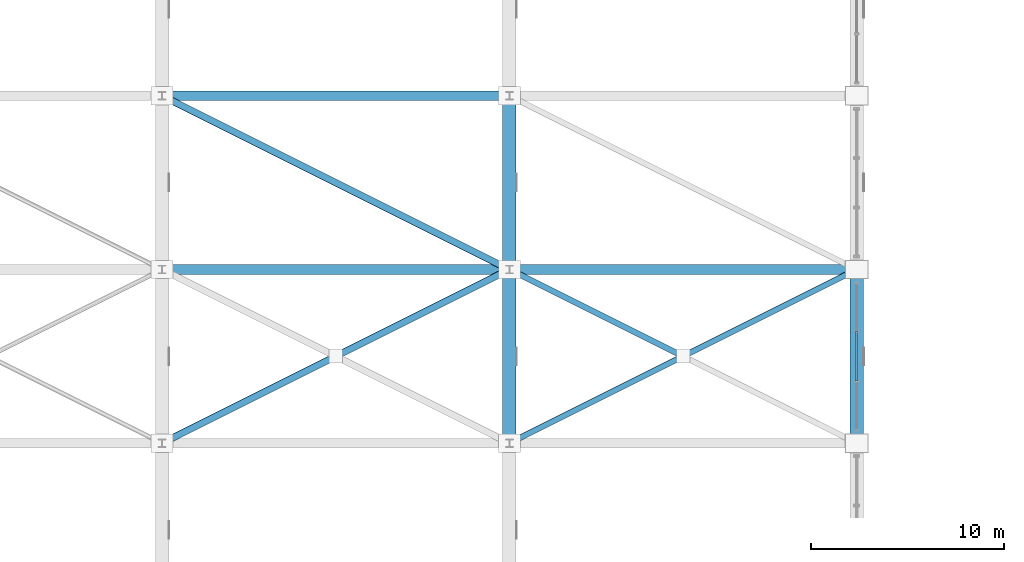
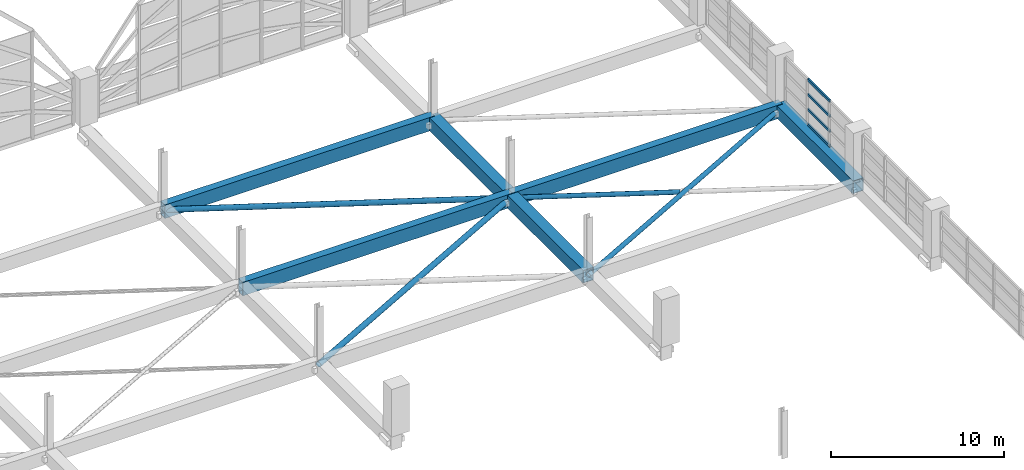
# One storey, part 49 of 116: 8 members, 6 beams, 1 element without a shape of its own.
"""IFC4 building model written with IfcOpenShell, lengths in metres."""

from ifc_helpers import new_model, si_unit, direction, frame, origin, origin_2d, place, context, subcontext, project, spatial, hollow_rectangle, hollow_circle, extrude, material, material_profile, profile_set, type_object, element, aggregate, save


model = new_model("IFC4")

# Units and contexts
model_context = context("Model", 3, precision=1e-05, world=origin(), true_north=direction((0.0, 1.0)))
body_context = subcontext(model_context, "Body", "Model", "MODEL_VIEW")
ifc_project = project(units=[si_unit("LENGTHUNIT", "METRE"), si_unit("AREAUNIT", "SQUARE_METRE"), si_unit("VOLUMEUNIT", "CUBIC_METRE"), si_unit("PLANEANGLEUNIT", "RADIAN"), si_unit("MASSUNIT", "GRAM", prefix="KILO")], contexts=[model_context])

# Site, building, storey
site_placement = place(None, origin())
site = spatial("IfcSite", under=ifc_project, at=site_placement, CompositionType="ELEMENT")
building_placement = place(site_placement, origin())
building = spatial("IfcBuilding", under=site, at=building_placement, Name="Chuanluo Vaults Station", CompositionType="ELEMENT")
storey_placement = place(building_placement, frame((0.0, 0.0, 10.800048828125)))
storey = spatial("IfcBuildingStorey", under=building, at=storey_placement, Name="L02", CompositionType="ELEMENT", Elevation=10.800048828125)

# Beams
ifc_material_1 = material(Name="Steel Q390C", Category="steel")
ifc_material_profile_1 = material_profile(ifc_material_1, hollow_rectangle(XDim=0.5, YDim=0.949951171875, WallThickness=0.028076171875, at=origin_2d()))
ifc_profile_set_1 = profile_set([ifc_material_profile_1], Name="Steel Q390C")
beam_type_1 = type_object("IfcBeamType", Name="BM-TT-TIE", PredefinedType="USERDEFINED", material=ifc_profile_set_1)
for number, where, z_axis, x_axis, name in (
    (1, (90.0, 85.5, -0.85009765625), (1.0, 0.0, 0.0), (0.0, 1.0, 0.0), "Transfer truss top tie girder 6-85"),
    (2, (90.0, 94.5, -0.85009765625), (1.0, 0.0, 0.0), (0.0, 1.0, 0.0), "Transfer truss top tie girder 6-94"),
    (3, (108.0, 85.5, -0.85009765625), (1.0, 0.0, 0.0), (0.0, 1.0, 0.0), "Transfer truss top tie girder 7-85"),
):
    element("IfcBeam", number, at=place(storey_placement, frame(where, z_axis=z_axis, x_axis=x_axis)), inside=storey, type_object=beam_type_1, Name=name, ObjectType="GIRDER", PredefinedType="USERDEFINED", context=body_context, shape_type="SweptSolid", body=[
        extrude(hollow_rectangle(XDim=0.5, YDim=0.949951171875, WallThickness=0.028076171875, at=origin_2d()), origin(), (0.0, 0.0, 1.0), 18.0),
    ])
ifc_material_2 = material(Name="Steel Q390C", Category="steel")
ifc_material_profile_2 = material_profile(ifc_material_2, hollow_rectangle(XDim=0.699951171875, YDim=0.89990234375, WallThickness=0.035888671875, at=origin_2d()))
ifc_profile_set_2 = profile_set([ifc_material_profile_2], Name="Steel Q390C")
beam_type_2 = type_object("IfcBeamType", Name="BM-TT-TOP", PredefinedType="USERDEFINED", material=ifc_profile_set_2)
for number, where, z_axis, x_axis, name in (
    (4, (108.0, 76.5, -0.85009765625), (0.0, 1.0, 0.0), (-1.0, 0.0, 0.0), "Transfer truss TT-7 top chord 2"),
    (5, (108.0, 85.5, -0.85009765625), (0.0, 1.0, 0.0), (-1.0, 0.0, 0.0), "Transfer truss TT-7 top chord 3"),
    (6, (126.0, 76.5, -0.85009765625), (0.0, 1.0, 0.0), (-1.0, 0.0, 0.0), "Transfer truss TT-8 top chord 2"),
):
    element("IfcBeam", number, at=place(storey_placement, frame(where, z_axis=z_axis, x_axis=x_axis)), inside=storey, type_object=beam_type_2, Name=name, ObjectType="GIRDER", PredefinedType="USERDEFINED", context=body_context, shape_type="SweptSolid", body=[
        extrude(hollow_rectangle(XDim=0.699951171875, YDim=0.89990234375, WallThickness=0.035888671875, at=origin_2d()), origin(), (0.0, 0.0, 1.0), 9.0),
    ])

# Curtain wall, members
ifc_material_3 = material(Name="Anodised aluminium 6063-T6", Category="aluminium")
curtain_wall_type = type_object("IfcCurtainWallType", Name="CW-SYS-16", PredefinedType="NOTDEFINED", material=ifc_material_3)
curtain_wall_placement = place(storey_placement, origin())
curtain_wall = element("IfcCurtainWall", 7, at=curtain_wall_placement, inside=storey, type_object=curtain_wall_type, Name="Train shed east clerestory CW 76", PredefinedType="NOTDEFINED")
ifc_material_4 = material(Name="Anodised aluminium 6063-T6", Category="aluminium")
ifc_material_profile_3 = material_profile(ifc_material_4, hollow_rectangle(XDim=0.10498046875, YDim=0.18505859375, WallThickness=0.0048828125, at=origin_2d()))
ifc_profile_set_3 = profile_set([ifc_material_profile_3], Name="Anodised aluminium 6063-T6")
member_type_1 = type_object("IfcMemberType", Name="CWT-110", PredefinedType="USERDEFINED", material=ifc_profile_set_3)
member_1_placement = place(storey_placement, frame((126.0, 82.27490234375, 0.0), z_axis=(0.0, -1.0, 0.0), x_axis=(1.0, 0.0, 0.0)))
member_1 = element("IfcMember", 8, at=member_1_placement, type_object=member_type_1, Name="Train shed east clerestory CW 76 transom 2.1", ObjectType="TRANSOM", PredefinedType="USERDEFINED", context=body_context, shape_type="SweptSolid", body=[
    extrude(hollow_rectangle(XDim=0.10498046875, YDim=0.18505859375, WallThickness=0.0048828125, at=origin_2d()), origin(), (0.0, 0.0, 1.0), 2.5498046875),
])
member_2_placement = place(storey_placement, frame((126.0, 82.27490234375, 1.050048828125), z_axis=(0.0, -1.0, 0.0), x_axis=(1.0, 0.0, 0.0)))
member_2 = element("IfcMember", 9, at=member_2_placement, type_object=member_type_1, Name="Train shed east clerestory CW 76 transom 2.2", ObjectType="TRANSOM", PredefinedType="USERDEFINED", context=body_context, shape_type="SweptSolid", body=[
    extrude(hollow_rectangle(XDim=0.10498046875, YDim=0.18505859375, WallThickness=0.0048828125, at=origin_2d()), origin(), (0.0, 0.0, 1.0), 2.5498046875),
])
member_3_placement = place(storey_placement, frame((126.0, 82.27490234375, 2.099853515625), z_axis=(0.0, -1.0, 0.0), x_axis=(1.0, 0.0, 0.0)))
member_3 = element("IfcMember", 10, at=member_3_placement, type_object=member_type_1, Name="Train shed east clerestory CW 76 transom 2.3", ObjectType="TRANSOM", PredefinedType="USERDEFINED", context=body_context, shape_type="SweptSolid", body=[
    extrude(hollow_rectangle(XDim=0.10498046875, YDim=0.18505859375, WallThickness=0.0048828125, at=origin_2d()), origin(), (0.0, 0.0, 1.0), 2.5498046875),
])
member_4_placement = place(storey_placement, frame((126.0, 82.27490234375, 3.14990234375), z_axis=(0.0, -1.0, 0.0), x_axis=(1.0, 0.0, 0.0)))
member_4 = element("IfcMember", 11, at=member_4_placement, type_object=member_type_1, Name="Train shed east clerestory CW 76 transom 2.4", ObjectType="TRANSOM", PredefinedType="USERDEFINED", context=body_context, shape_type="SweptSolid", body=[
    extrude(hollow_rectangle(XDim=0.10498046875, YDim=0.18505859375, WallThickness=0.0048828125, at=origin_2d()), origin(), (0.0, 0.0, 1.0), 2.5498046875),
])
aggregate(curtain_wall, [member_1, member_2, member_3, member_4])

# Members
ifc_material_5 = material(Name="Steel Q355C", Category="steel")
ifc_material_profile_4 = material_profile(ifc_material_5, hollow_circle(Radius=0.1494140625, WallThickness=0.011962890625, at=origin_2d()))
ifc_profile_set_4 = profile_set([ifc_material_profile_4], Name="Steel Q355C")
member_type_2 = type_object("IfcMemberType", Name="MEM-CHS-299", PredefinedType="BRACE", material=ifc_profile_set_4)
member_5_placement = place(storey_placement, frame((108.0, 76.5, -0.85009765625), z_axis=(0.894427191, 0.4472135955, 0.0), x_axis=(-0.4472135955, 0.894427191, 0.0)))
element("IfcMember", 12, at=member_5_placement, inside=storey, type_object=member_type_2, Name="Over-track diaphragm brace 7-76", PredefinedType="BRACE", context=body_context, shape_type="SweptSolid", body=[
    extrude(hollow_circle(Radius=0.1494140625, WallThickness=0.011962890625, at=origin_2d()), origin(), (0.0, 0.0, 1.0), 20.12451171875),
])
member_6_placement = place(storey_placement, frame((108.0, 85.5, -0.85009765625), z_axis=(0.894432165125, -0.447203647112, 0.0), x_axis=(0.447203647112, 0.894432165125, 0.0)))
element("IfcMember", 13, at=member_6_placement, inside=storey, type_object=member_type_2, Name="Over-track diaphragm split X-brace 7-85A", PredefinedType="BRACE", context=body_context, shape_type="SweptSolid", body=[
    extrude(hollow_circle(Radius=0.1494140625, WallThickness=0.011962890625, at=origin_2d()), origin(), (0.0, 0.0, 1.0), 9.81640625),
])
ifc_material_6 = material(Name="Steel Q355C", Category="steel")
ifc_material_profile_5 = material_profile(ifc_material_6, hollow_circle(Radius=0.177978515625, WallThickness=0.013916015625, at=origin_2d()))
ifc_profile_set_5 = profile_set([ifc_material_profile_5], Name="Steel Q355C")
member_type_3 = type_object("IfcMemberType", Name="MEM-CHS-356", PredefinedType="BRACE", material=ifc_profile_set_5)
for number, where, z_axis, x_axis, name in (
    (14, (90.0, 76.5, -0.85009765625), (0.894427191, 0.4472135955, 0.0), (-0.4472135955, 0.894427191, 0.0), "Over-track diaphragm brace 6-76"),
    (15, (90.0, 94.5, -0.85009765625), (0.894427191, -0.4472135955, 0.0), (0.4472135955, 0.894427191, 0.0), "Over-track diaphragm brace 6-94"),
):
    element("IfcMember", number, at=place(storey_placement, frame(where, z_axis=z_axis, x_axis=x_axis)), inside=storey, type_object=member_type_3, Name=name, PredefinedType="BRACE", context=body_context, shape_type="SweptSolid", body=[
        extrude(hollow_circle(Radius=0.177978515625, WallThickness=0.013916015625, at=origin_2d()), origin(), (0.0, 0.0, 1.0), 20.12451171875),
    ])

save(model, "model.ifc")
